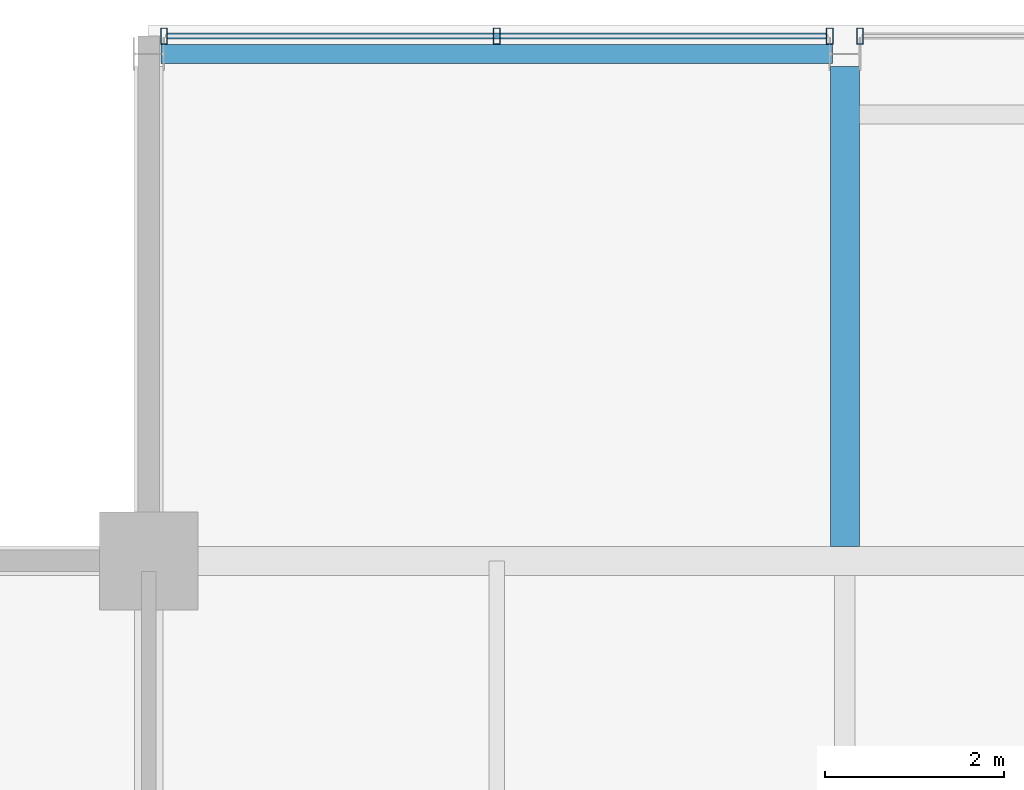
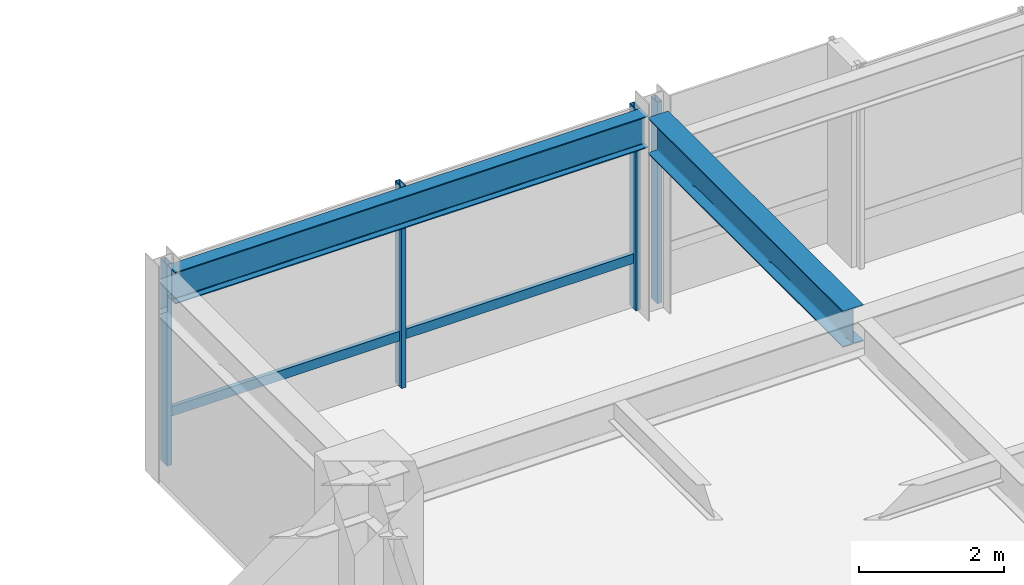
# One storey, part 21 of 33: 5 members, 2 beams, 2 elements without a shape of their own.
"""IFC4 building model written with IfcOpenShell, lengths in metres."""

from ifc_helpers import new_model, si_unit, direction, frame, origin, origin_2d, place, context, subcontext, project, spatial, hollow_rectangle, i_section, extrude, material, layer, layer_set, material_profile, profile_set, type_object, element, aggregate, save


model = new_model("IFC4")

# Units and contexts
model_context = context("Model", 3, precision=1e-05, world=origin(), true_north=direction((0.0, 1.0)))
body_context = subcontext(model_context, "Body", "Model", "MODEL_VIEW")
ifc_project = project(units=[si_unit("LENGTHUNIT", "METRE"), si_unit("AREAUNIT", "SQUARE_METRE"), si_unit("VOLUMEUNIT", "CUBIC_METRE"), si_unit("PLANEANGLEUNIT", "RADIAN"), si_unit("MASSUNIT", "GRAM", prefix="KILO")], contexts=[model_context])

# Site, building, storey
site_placement = place(None, origin())
site = spatial("IfcSite", under=ifc_project, at=site_placement, CompositionType="ELEMENT")
building_placement = place(site_placement, origin())
building = spatial("IfcBuilding", under=site, at=building_placement, Name="Drelvath Grand Hotel", CompositionType="ELEMENT")
storey_placement = place(building_placement, frame((0.0, 0.0, 283.25)))
storey = spatial("IfcBuildingStorey", under=building, at=storey_placement, Name="L74", CompositionType="ELEMENT", Elevation=283.25)

# Curtain wall, members
ifc_material_1 = material(Name="Platinum-Mist Anodised Aluminium Frame", Category="aluminium")
ifc_layer = layer(ifc_material_1, 0.199951171875)
ifc_layer_set = layer_set([ifc_layer], Name="Platinum-Mist Anodised Aluminium Frame")
curtain_wall_type = type_object("IfcCurtainWallType", Name="Stick Curtain Wall CW-05 Platinum Mist High-Rise", PredefinedType="NOTDEFINED", material=ifc_layer_set)
curtain_wall_1_placement = place(storey_placement, origin())
curtain_wall_1 = element("IfcCurtainWall", 1, at=curtain_wall_1_placement, inside=storey, type_object=curtain_wall_type, Name="L74 CW-05 Curtain Wall CW05-L74-NW1", PredefinedType="NOTDEFINED")
ifc_material_profile_1 = material_profile(ifc_material_1, hollow_rectangle(XDim=0.06494140625, YDim=0.159912109375, WallThickness=0.00390625, at=origin_2d()), Name="HSS160X65X4")
ifc_profile_set_1 = profile_set([ifc_material_profile_1], Name="Platinum-Mist Anodised Aluminium Frame")
member_type_1 = type_object("IfcMemberType", Name="Curtain Wall Horizontal Transom CW-05 HSS160X65X4", PredefinedType="USERDEFINED", material=ifc_profile_set_1)
member_1_placement = place(storey_placement, frame((-15.989990234375, 49.080078125, 0.847412109375), z_axis=(1.0, 0.0, 0.0), x_axis=(0.0, 1.0, 0.0)))
member_1 = element("IfcMember", 2, at=member_1_placement, type_object=member_type_1, Name="CW05-L74-NW1 Sill Transom", ObjectType="TRANSOM", PredefinedType="USERDEFINED", context=body_context, shape_type="SweptSolid", body=[
    extrude(hollow_rectangle(XDim=0.06494140625, YDim=0.159912109375, WallThickness=0.00390625, at=origin_2d()), origin(), (0.0, 0.0, 1.0), 7.3798828125),
])
ifc_material_profile_2 = material_profile(ifc_material_1, hollow_rectangle(XDim=0.074951171875, YDim=0.179931640625, WallThickness=0.0048828125, at=origin_2d()), Name="HSS180X75X5")
ifc_profile_set_2 = profile_set([ifc_material_profile_2], Name="Platinum-Mist Anodised Aluminium Frame")
member_type_2 = type_object("IfcMemberType", Name="Curtain Wall Vertical Mullion CW-05 HSS180X75X5", PredefinedType="MULLION", material=ifc_profile_set_2)
member_2_placement = place(storey_placement, frame((-16.02978515625, 49.080078125, 0.0), z_axis=(0.0, 0.0, 1.0), x_axis=(1.0, 0.0, 0.0)))
member_2 = element("IfcMember", 3, at=member_2_placement, type_object=member_type_2, Name="CW05-L74-NW1 Mullion 1", PredefinedType="MULLION", context=body_context, shape_type="SweptSolid", body=[
    extrude(hollow_rectangle(XDim=0.074951171875, YDim=0.179931640625, WallThickness=0.0048828125, at=origin_2d()), origin(), (0.0, 0.0, 1.0), 3.389892578125),
])
member_3_placement = place(storey_placement, frame((-12.300048828125, 49.080078125, 0.0), z_axis=(0.0, 0.0, 1.0), x_axis=(1.0, 0.0, 0.0)))
member_3 = element("IfcMember", 4, at=member_3_placement, type_object=member_type_2, Name="CW05-L74-NW1 Mullion 2", PredefinedType="MULLION", context=body_context, shape_type="SweptSolid", body=[
    extrude(hollow_rectangle(XDim=0.074951171875, YDim=0.179931640625, WallThickness=0.0048828125, at=origin_2d()), origin(), (0.0, 0.0, 1.0), 3.389892578125),
])
member_4_placement = place(storey_placement, frame((-8.570068359375, 49.080078125, 0.0), z_axis=(0.0, 0.0, 1.0), x_axis=(1.0, 0.0, 0.0)))
member_4 = element("IfcMember", 5, at=member_4_placement, type_object=member_type_2, Name="CW05-L74-NW1 Mullion 3", PredefinedType="MULLION", context=body_context, shape_type="SweptSolid", body=[
    extrude(hollow_rectangle(XDim=0.074951171875, YDim=0.179931640625, WallThickness=0.0048828125, at=origin_2d()), origin(), (0.0, 0.0, 1.0), 3.389892578125),
])
aggregate(curtain_wall_1, [member_2, member_3, member_4, member_1])

# Curtain wall, member
curtain_wall_2_placement = place(storey_placement, origin())
curtain_wall_2 = element("IfcCurtainWall", 6, at=curtain_wall_2_placement, inside=storey, type_object=curtain_wall_type, Name="L74 CW-05 Curtain Wall CW05-L74-NW2", PredefinedType="NOTDEFINED")
member_5_placement = place(storey_placement, frame((-8.22998046875, 49.080078125, 0.0), z_axis=(0.0, 0.0, 1.0), x_axis=(1.0, 0.0, 0.0)))
member_5 = element("IfcMember", 7, at=member_5_placement, type_object=member_type_2, Name="CW05-L74-NW2 Mullion 1", PredefinedType="MULLION", context=body_context, shape_type="SweptSolid", body=[
    extrude(hollow_rectangle(XDim=0.074951171875, YDim=0.179931640625, WallThickness=0.0048828125, at=origin_2d()), origin(), (0.0, 0.0, 1.0), 3.389892578125),
])
aggregate(curtain_wall_2, [member_5])

# Beams
ifc_material_2 = material(Name="Steel ASTM A992 Gr 50", Category="steel")
ifc_material_profile_3 = material_profile(ifc_material_2, i_section(OverallWidth=0.210205078125, OverallDepth=0.53662109375, WebThickness=0.010986328125, FlangeThickness=0.017333984375, FilletRadius=0.01806640625, at=origin_2d()), Name="W21X68")
ifc_profile_set_3 = profile_set([ifc_material_profile_3], Name="Steel ASTM A992 Gr 50")
beam_type_1 = type_object("IfcBeamType", Name="Perimeter Spandrel Beam W21X68", PredefinedType="SPANDREL", material=ifc_profile_set_3)
beam_1_placement = place(storey_placement, frame((-16.06005859375, 48.8798828125, 3.12158203125), z_axis=(1.0, 0.0, 0.0), x_axis=(0.0, 1.0, 0.0)))
element("IfcBeam", 8, at=beam_1_placement, inside=storey, type_object=beam_type_1, Name="L74 Spandrel North W", PredefinedType="SPANDREL", context=body_context, shape_type="SweptSolid", body=[
    extrude(i_section(OverallWidth=0.210205078125, OverallDepth=0.53662109375, WebThickness=0.010986328125, FlangeThickness=0.017333984375, FilletRadius=0.01806640625, at=origin_2d()), origin(), (0.0, 0.0, 1.0), 7.52001953125),
])
ifc_material_profile_4 = material_profile(ifc_material_2, i_section(OverallWidth=0.323974609375, OverallDepth=0.611083984375, WebThickness=0.0126953125, FlangeThickness=0.01904296875, FilletRadius=0.02197265625, at=origin_2d()), Name="W24X104")
ifc_profile_set_4 = profile_set([ifc_material_profile_4], Name="Steel ASTM A992 Gr 50")
beam_type_2 = type_object("IfcBeamType", Name="Primary Floor Girder W24X104", PredefinedType="BEAM", material=ifc_profile_set_4)
beam_2_placement = place(storey_placement, frame((-8.39990234375, 43.362060546875, 3.08447265625), z_axis=(0.0, 1.0, 0.0), x_axis=(-1.0, 0.0, 0.0)))
element("IfcBeam", 9, at=beam_2_placement, inside=storey, type_object=beam_type_2, Name="L74 North Wing Girder 4", PredefinedType="BEAM", context=body_context, shape_type="SweptSolid", body=[
    extrude(i_section(OverallWidth=0.323974609375, OverallDepth=0.611083984375, WebThickness=0.0126953125, FlangeThickness=0.01904296875, FilletRadius=0.02197265625, at=origin_2d()), origin(), (0.0, 0.0, 1.0), 5.3779296875),
])

save(model, "model.ifc")
